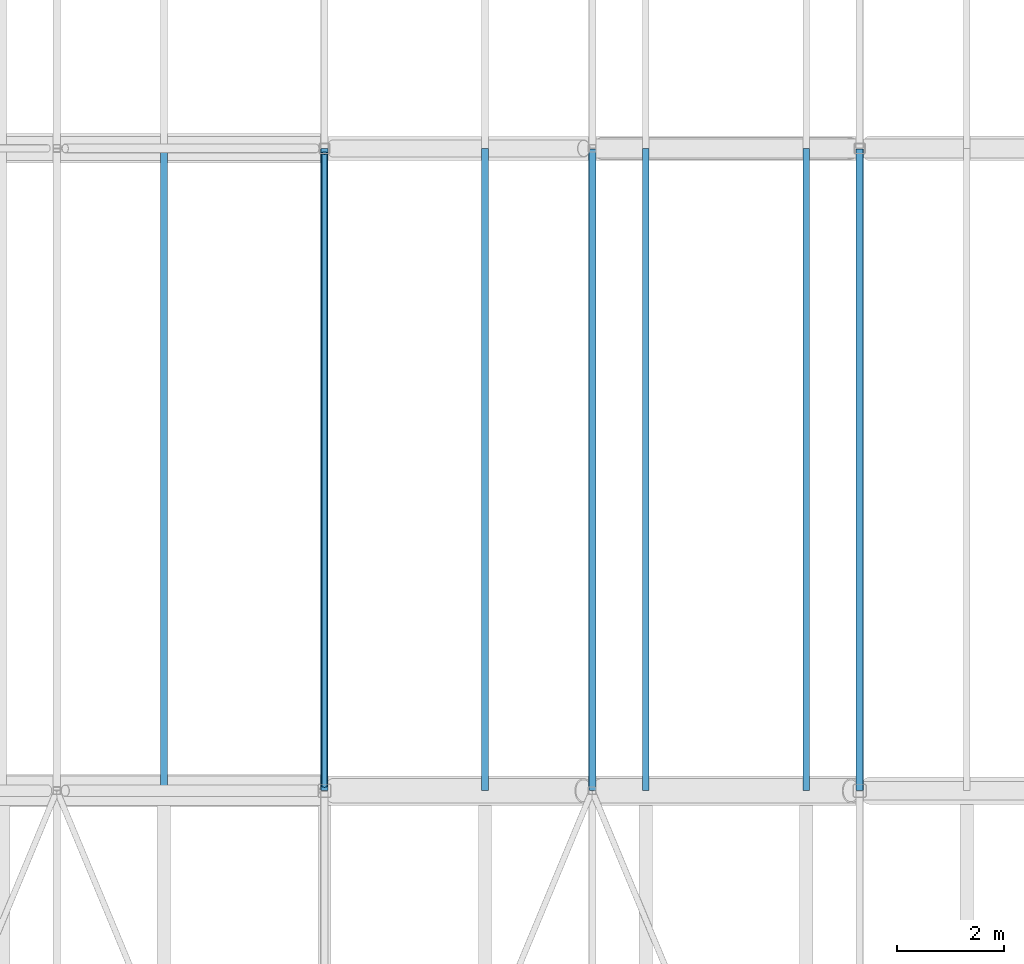
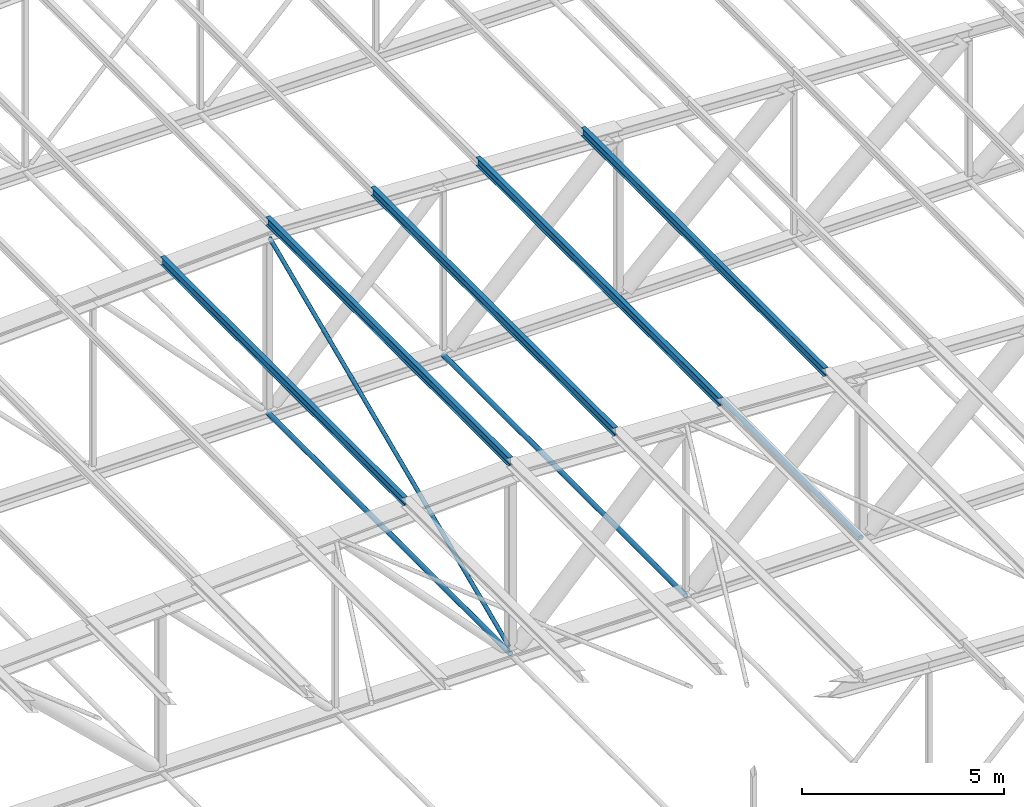
# One storey, part 75 of 156: 9 members.
"""IFC4 building model written with IfcOpenShell, lengths in metres."""

from ifc_helpers import new_model, si_unit, direction, frame, origin, origin_2d, place, context, subcontext, project, spatial, hollow_circle, i_section, extrude, material, material_profile, profile_set, type_object, element, save


model = new_model("IFC4")

# Units and contexts
model_context = context("Model", 3, precision=1e-05, world=origin(), true_north=direction((0.0, 1.0)))
body_context = subcontext(model_context, "Body", "Model", "MODEL_VIEW")
ifc_project = project(units=[si_unit("LENGTHUNIT", "METRE"), si_unit("AREAUNIT", "SQUARE_METRE"), si_unit("VOLUMEUNIT", "CUBIC_METRE"), si_unit("PLANEANGLEUNIT", "RADIAN"), si_unit("MASSUNIT", "GRAM", prefix="KILO")], contexts=[model_context])

# Site, building, storey
site_placement = place(None, origin())
site = spatial("IfcSite", under=ifc_project, at=site_placement, CompositionType="ELEMENT")
building_placement = place(site_placement, origin())
building = spatial("IfcBuilding", under=site, at=building_placement, Name="Lilac Gate Convention Centre", CompositionType="ELEMENT")
storey_placement = place(building_placement, frame((0.0, 0.0, 17.0)))
storey = spatial("IfcBuildingStorey", under=building, at=storey_placement, Name="L03", CompositionType="ELEMENT", Elevation=17.0)

# Members
ifc_material = material(Name="Steel Q355B", Category="steel")
ifc_material_profile_1 = material_profile(ifc_material, hollow_circle(Radius=0.06982421875, WallThickness=0.0048828125, at=origin_2d()), Name="CHS139.7x5")
ifc_profile_set_1 = profile_set([ifc_material_profile_1], Name="Steel Q355B")
member_type_1 = type_object("IfcMemberType", Name="Bottom chord tie CHS139.7x5", PredefinedType="STRUT", material=ifc_profile_set_1)
member_1_placement = place(storey_placement, frame((60.0, 138.010009765625, 0.0), z_axis=(0.0, 1.0, 0.0), x_axis=(-1.0, 0.0, 0.0)))
element("IfcMember", 1, at=member_1_placement, inside=storey, type_object=member_type_1, Name="ST1 tie bay 10 node 7", PredefinedType="STRUT", context=body_context, shape_type="SweptSolid", body=[
    extrude(hollow_circle(Radius=0.06982421875, WallThickness=0.0048828125, at=origin_2d()), origin(), (0.0, 0.0, 1.0), 11.98193359375),
])
member_2_placement = place(storey_placement, frame((65.0, 138.008056640625, 0.0), z_axis=(0.0, 1.0, 0.0), x_axis=(-1.0, 0.0, 0.0)))
element("IfcMember", 2, at=member_2_placement, inside=storey, type_object=member_type_1, Name="ST1 tie bay 10 node 8", PredefinedType="STRUT", context=body_context, shape_type="SweptSolid", body=[
    extrude(hollow_circle(Radius=0.06982421875, WallThickness=0.0048828125, at=origin_2d()), origin(), (0.0, 0.0, 1.0), 11.98388671875),
])
member_3_placement = place(storey_placement, frame((70.0, 138.006103515625, 0.0), z_axis=(0.0, 1.0, 0.0), x_axis=(-1.0, 0.0, 0.0)))
element("IfcMember", 3, at=member_3_placement, inside=storey, type_object=member_type_1, Name="ST1 tie bay 10 node 9", PredefinedType="STRUT", context=body_context, shape_type="SweptSolid", body=[
    extrude(hollow_circle(Radius=0.06982421875, WallThickness=0.0048828125, at=origin_2d()), origin(), (0.0, 0.0, 1.0), 11.98779296875),
])
ifc_material_profile_2 = material_profile(ifc_material, i_section(OverallWidth=0.125, OverallDepth=0.25, WebThickness=0.006103515625, FlangeThickness=0.009033203125, FilletRadius=0.008056640625, at=origin_2d()), Name="HN250x125x6x9")
ifc_profile_set_2 = profile_set([ifc_material_profile_2], Name="Steel Q355B")
member_type_2 = type_object("IfcMemberType", Name="Roof purlin HN250x125x6x9", PredefinedType="PURLIN", material=ifc_profile_set_2)
for number, where, z_axis, x_axis, name in (
    (4, (57.0, 138.0, 5.650146484375), (0.0, 1.0, 0.0), (-1.0, 0.0, 0.0), "PU2 purlin bay 10 line 10"),
    (5, (60.0, 138.0, 5.80029296875), (0.0, 1.0, 0.0), (-1.0, 0.0, 0.0), "PU2 purlin bay 10 line 11"),
    (6, (63.0, 138.0, 5.650146484375), (0.0, 1.0, 0.0), (-1.0, 0.0, 0.0), "PU2 purlin bay 10 line 12"),
    (7, (66.0, 138.0, 5.500244140625), (0.0, 1.0, 0.0), (-1.0, 0.0, 0.0), "PU2 purlin bay 10 line 13"),
    (8, (69.0, 138.0, 5.35009765625), (0.0, 1.0, 0.0), (-1.0, 0.0, 0.0), "PU2 purlin bay 10 line 14"),
):
    element("IfcMember", number, at=place(storey_placement, frame(where, z_axis=z_axis, x_axis=x_axis)), inside=storey, type_object=member_type_2, Name=name, PredefinedType="PURLIN", context=body_context, shape_type="SweptSolid", body=[
        extrude(i_section(OverallWidth=0.125, OverallDepth=0.25, WebThickness=0.006103515625, FlangeThickness=0.009033203125, FilletRadius=0.008056640625, at=origin_2d()), origin(), (0.0, 0.0, 1.0), 12.0),
    ])
ifc_material_profile_3 = material_profile(ifc_material, hollow_circle(Radius=0.05712890625, WallThickness=0.006103515625, at=origin_2d()), Name="CHS114.3x6")
ifc_profile_set_3 = profile_set([ifc_material_profile_3], Name="Steel Q355B")
member_type_3 = type_object("IfcMemberType", Name="Vertical bracing CHS114.3x6", PredefinedType="BRACE", material=ifc_profile_set_3)
member_4_placement = place(storey_placement, frame((60.0, 138.08740234375, 0.175048828125), z_axis=(0.0, 0.916835469497, 0.399265227477), x_axis=(-1.0, 0.0, 0.0)))
element("IfcMember", 9, at=member_4_placement, inside=storey, type_object=member_type_3, Name="BR2 vertical bracing bay 10 line 2", PredefinedType="BRACE", context=body_context, shape_type="SweptSolid", body=[
    extrude(hollow_circle(Radius=0.05712890625, WallThickness=0.006103515625, at=origin_2d()), origin(), (0.0, 0.0, 1.0), 12.89794921875),
])

save(model, "model.ifc")
